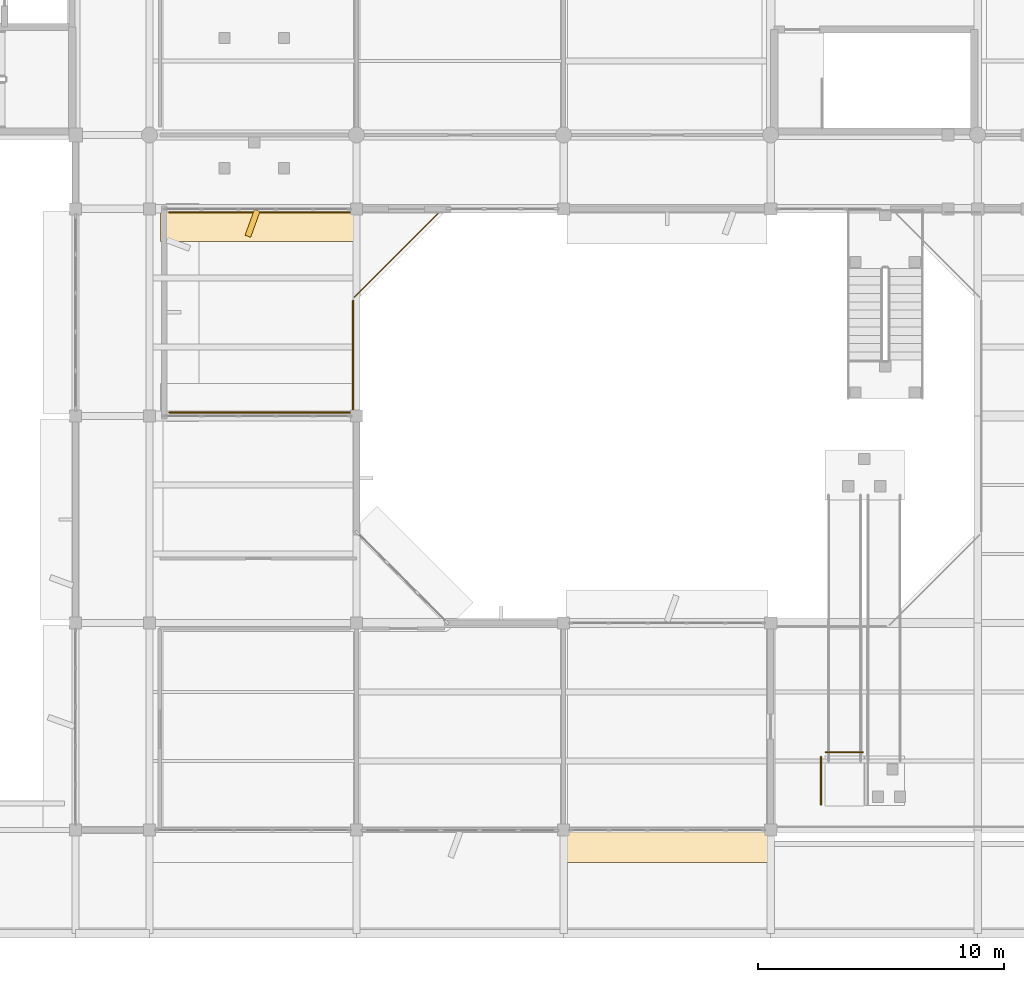
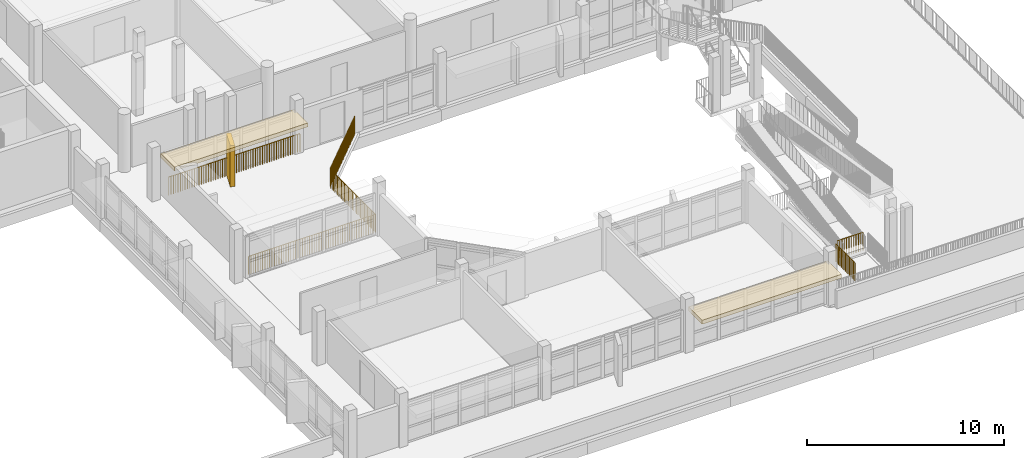
# One storey, part 70 of 92: 6 railings, 3 coverings.
"""IFC4 building model written with IfcOpenShell, lengths in metres."""

from ifc_helpers import new_model, si_unit, direction, frame, origin, origin_2d, place, context, subcontext, project, spatial, rectangle, circle, extrude, material, layer, layer_set, type_object, element, save


model = new_model("IFC4")

# Units and contexts
model_context = context("Model", 3, precision=1e-05, world=origin(), true_north=direction((0.0, 1.0)))
body_context = subcontext(model_context, "Body", "Model", "MODEL_VIEW")
ifc_project = project(units=[si_unit("LENGTHUNIT", "METRE"), si_unit("AREAUNIT", "SQUARE_METRE"), si_unit("VOLUMEUNIT", "CUBIC_METRE"), si_unit("PLANEANGLEUNIT", "RADIAN"), si_unit("MASSUNIT", "GRAM", prefix="KILO")], contexts=[model_context])

# Site, building, storey
site_placement = place(None, origin())
site = spatial("IfcSite", under=ifc_project, at=site_placement, CompositionType="ELEMENT")
building_placement = place(site_placement, origin())
building = spatial("IfcBuilding", under=site, at=building_placement, Name="Vanh Quang Courtyard School", CompositionType="ELEMENT")
storey_placement = place(building_placement, frame((0.0, 0.0, 7.800048828125)))
storey = spatial("IfcBuildingStorey", under=building, at=storey_placement, Name="L02", CompositionType="ELEMENT", Elevation=7.800048828125)

# Coverings
ifc_material_1 = material(Name="Board-marked precast concrete C40/50", Category="concrete")
ifc_layer = layer(ifc_material_1, 0.239990234375)
ifc_layer_set = layer_set([ifc_layer], Name="Board-marked precast concrete C40/50")
covering_type = type_object("IfcCoveringType", Name="COV-HOOD-CONC", PredefinedType="CLADDING", material=ifc_layer_set)
covering_1_placement = place(storey_placement, frame((81.77099609375, 28.780029296875, 2.33984375), z_axis=(0.0, 0.0, 1.0), x_axis=(-1.0, 0.0, 0.0)))
element("IfcCovering", 1, at=covering_1_placement, inside=storey, type_object=covering_type, Name="Covering CH-01 (L02)", PredefinedType="CLADDING", context=body_context, shape_type="SweptSolid", body=[
    extrude(rectangle(XDim=7.842041015625, YDim=1.39990234375, at=origin_2d()), origin(), (0.0, 0.0, 1.0), 0.239990234375),
])
covering_2_placement = place(storey_placement, frame((81.5810546875, 28.81494140625, 0.0), z_axis=(0.0, 0.0, 1.0), x_axis=(-0.340379550213, -0.94028812701, 0.0)))
element("IfcCovering", 2, at=covering_2_placement, inside=storey, type_object=covering_type, Name="Covering CH-01 (L02)", PredefinedType="CLADDING", context=body_context, shape_type="SweptSolid", body=[
    extrude(rectangle(XDim=1.11669921875, YDim=0.239990234375, at=origin_2d()), origin(), (0.0, 0.0, 1.0), 2.56005859375),
])
covering_3_placement = place(storey_placement, frame((98.39990234375, 3.580078125, 2.33984375), z_axis=(0.0, 0.0, 1.0), x_axis=(-1.0, 0.0, 0.0)))
element("IfcCovering", 3, at=covering_3_placement, inside=storey, type_object=covering_type, Name="Covering CH-01 (L02)", PredefinedType="CLADDING", context=body_context, shape_type="SweptSolid", body=[
    extrude(rectangle(XDim=8.18408203125, YDim=1.39990234375, at=origin_2d()), origin(), (0.0, 0.0, 1.0), 0.239990234375),
])

# Railings
ifc_material_2 = material(Name="Galvanised painted steel EN 10025-2 S355J2", Category="steel")
railing_type = type_object("IfcRailingType", Name="RAIL-GUARD-1150", PredefinedType="BALUSTRADE", material=ifc_material_2)
railing_1_placement = place(storey_placement, frame((106.344970703125, 7.35498046875, 0.0)))
element("IfcRailing", 4, at=railing_1_placement, inside=storey, type_object=railing_type, Name="Railing GR-01 (L02)", PredefinedType="BALUSTRADE", context=body_context, shape_type="SweptSolid", body=[
    extrude(circle(Radius=0.02392578125, at=origin_2d()), frame((0.0, 0.0, 1.1259765625), z_axis=(-1.0, 0.0, 0.0), x_axis=(0.0, -1.0, 0.0)), (0.0, 0.0, 1.0), 1.510009765625),
    extrude(circle(Radius=0.02099609375, at=origin_2d()), origin(), (0.0, 0.0, 1.0), 1.101806640625),
    extrude(circle(Radius=0.02099609375, at=origin_2d()), frame((-0.13720703125, 0.0, 0.0)), (0.0, 0.0, 1.0), 1.101806640625),
    extrude(circle(Radius=0.02099609375, at=origin_2d()), frame((-0.274658203125, 0.0, 0.0)), (0.0, 0.0, 1.0), 1.101806640625),
    extrude(circle(Radius=0.02099609375, at=origin_2d()), frame((-0.411865234375, 0.0, 0.0)), (0.0, 0.0, 1.0), 1.101806640625),
    extrude(circle(Radius=0.02099609375, at=origin_2d()), frame((-0.549072265625, 0.0, 0.0)), (0.0, 0.0, 1.0), 1.101806640625),
    extrude(circle(Radius=0.02099609375, at=origin_2d()), frame((-0.686279296875, 0.0, 0.0)), (0.0, 0.0, 1.0), 1.101806640625),
    extrude(circle(Radius=0.02099609375, at=origin_2d()), frame((-0.82373046875, 0.0, 0.0)), (0.0, 0.0, 1.0), 1.101806640625),
    extrude(circle(Radius=0.02099609375, at=origin_2d()), frame((-0.9609375, 0.0, 0.0)), (0.0, 0.0, 1.0), 1.101806640625),
    extrude(circle(Radius=0.02099609375, at=origin_2d()), frame((-1.09814453125, 0.0, 0.0)), (0.0, 0.0, 1.0), 1.101806640625),
    extrude(circle(Radius=0.02099609375, at=origin_2d()), frame((-1.2353515625, 0.0, 0.0)), (0.0, 0.0, 1.0), 1.101806640625),
    extrude(circle(Radius=0.02099609375, at=origin_2d()), frame((-1.372802734375, 0.0, 0.0)), (0.0, 0.0, 1.0), 1.101806640625),
    extrude(circle(Radius=0.02099609375, at=origin_2d()), frame((-1.510009765625, 0.0, 0.0)), (0.0, 0.0, 1.0), 1.101806640625),
])
railing_2_placement = place(storey_placement, frame((104.64501953125, 7.1650390625, 0.0)))
element("IfcRailing", 5, at=railing_2_placement, inside=storey, type_object=railing_type, Name="Railing GR-01 (L02)", PredefinedType="BALUSTRADE", context=body_context, shape_type="SweptSolid", body=[
    extrude(circle(Radius=0.02392578125, at=origin_2d()), frame((0.0, 0.0, 1.1259765625), z_axis=(0.0, -1.0, 0.0), x_axis=(1.0, 0.0, 0.0)), (0.0, 0.0, 1.0), 1.929931640625),
    extrude(circle(Radius=0.02099609375, at=origin_2d()), origin(), (0.0, 0.0, 1.0), 1.101806640625),
    extrude(circle(Radius=0.02099609375, at=origin_2d()), frame((0.0, -0.137939453125, 0.0)), (0.0, 0.0, 1.0), 1.101806640625),
    extrude(circle(Radius=0.02099609375, at=origin_2d()), frame((0.0, -0.275634765625, 0.0)), (0.0, 0.0, 1.0), 1.101806640625),
    extrude(circle(Radius=0.02099609375, at=origin_2d()), frame((0.0, -0.41357421875, 0.0)), (0.0, 0.0, 1.0), 1.101806640625),
    extrude(circle(Radius=0.02099609375, at=origin_2d()), frame((0.0, -0.551513671875, 0.0)), (0.0, 0.0, 1.0), 1.101806640625),
    extrude(circle(Radius=0.02099609375, at=origin_2d()), frame((0.0, -0.689208984375, 0.0)), (0.0, 0.0, 1.0), 1.101806640625),
    extrude(circle(Radius=0.02099609375, at=origin_2d()), frame((0.0, -0.8271484375, 0.0)), (0.0, 0.0, 1.0), 1.101806640625),
    extrude(circle(Radius=0.02099609375, at=origin_2d()), frame((0.0, -0.96484375, 0.0)), (0.0, 0.0, 1.0), 1.101806640625),
    extrude(circle(Radius=0.02099609375, at=origin_2d()), frame((0.0, -1.102783203125, 0.0)), (0.0, 0.0, 1.0), 1.101806640625),
    extrude(circle(Radius=0.02099609375, at=origin_2d()), frame((0.0, -1.24072265625, 0.0)), (0.0, 0.0, 1.0), 1.101806640625),
    extrude(circle(Radius=0.02099609375, at=origin_2d()), frame((0.0, -1.37841796875, 0.0)), (0.0, 0.0, 1.0), 1.101806640625),
    extrude(circle(Radius=0.02099609375, at=origin_2d()), frame((0.0, -1.516357421875, 0.0)), (0.0, 0.0, 1.0), 1.101806640625),
    extrude(circle(Radius=0.02099609375, at=origin_2d()), frame((0.0, -1.654296875, 0.0)), (0.0, 0.0, 1.0), 1.101806640625),
    extrude(circle(Radius=0.02099609375, at=origin_2d()), frame((0.0, -1.7919921875, 0.0)), (0.0, 0.0, 1.0), 1.101806640625),
    extrude(circle(Radius=0.02099609375, at=origin_2d()), frame((0.0, -1.929931640625, 0.0)), (0.0, 0.0, 1.0), 1.101806640625),
])
railing_3_placement = place(storey_placement, frame((78.199951171875, 29.260009765625, 0.0)))
element("IfcRailing", 6, at=railing_3_placement, inside=storey, type_object=railing_type, Name="Railing GR-01 (L02)", PredefinedType="BALUSTRADE", context=body_context, shape_type="SweptSolid", body=[
    extrude(circle(Radius=0.02392578125, at=origin_2d()), frame((0.0, 0.0, 1.1259765625), z_axis=(1.0, 0.0, 0.0), x_axis=(0.0, 1.0, 0.0)), (0.0, 0.0, 1.0), 7.705322265625),
    extrude(circle(Radius=0.02099609375, at=origin_2d()), origin(), (0.0, 0.0, 1.0), 1.101806640625),
    extrude(circle(Radius=0.02099609375, at=origin_2d()), frame((0.1376953125, 0.0, 0.0)), (0.0, 0.0, 1.0), 1.101806640625),
    extrude(circle(Radius=0.02099609375, at=origin_2d()), frame((0.275146484375, 0.0, 0.0)), (0.0, 0.0, 1.0), 1.101806640625),
    extrude(circle(Radius=0.02099609375, at=origin_2d()), frame((0.412841796875, 0.0, 0.0)), (0.0, 0.0, 1.0), 1.101806640625),
    extrude(circle(Radius=0.02099609375, at=origin_2d()), frame((0.55029296875, 0.0, 0.0)), (0.0, 0.0, 1.0), 1.101806640625),
    extrude(circle(Radius=0.02099609375, at=origin_2d()), frame((0.68798828125, 0.0, 0.0)), (0.0, 0.0, 1.0), 1.101806640625),
    extrude(circle(Radius=0.02099609375, at=origin_2d()), frame((0.82568359375, 0.0, 0.0)), (0.0, 0.0, 1.0), 1.101806640625),
    extrude(circle(Radius=0.02099609375, at=origin_2d()), frame((0.963134765625, 0.0, 0.0)), (0.0, 0.0, 1.0), 1.101806640625),
    extrude(circle(Radius=0.02099609375, at=origin_2d()), frame((1.100830078125, 0.0, 0.0)), (0.0, 0.0, 1.0), 1.101806640625),
    extrude(circle(Radius=0.02099609375, at=origin_2d()), frame((1.23828125, 0.0, 0.0)), (0.0, 0.0, 1.0), 1.101806640625),
    extrude(circle(Radius=0.02099609375, at=origin_2d()), frame((1.3759765625, 0.0, 0.0)), (0.0, 0.0, 1.0), 1.101806640625),
    extrude(circle(Radius=0.02099609375, at=origin_2d()), frame((1.513427734375, 0.0, 0.0)), (0.0, 0.0, 1.0), 1.101806640625),
    extrude(circle(Radius=0.02099609375, at=origin_2d()), frame((1.651123046875, 0.0, 0.0)), (0.0, 0.0, 1.0), 1.101806640625),
    extrude(circle(Radius=0.02099609375, at=origin_2d()), frame((1.788818359375, 0.0, 0.0)), (0.0, 0.0, 1.0), 1.101806640625),
    extrude(circle(Radius=0.02099609375, at=origin_2d()), frame((1.92626953125, 0.0, 0.0)), (0.0, 0.0, 1.0), 1.101806640625),
    extrude(circle(Radius=0.02099609375, at=origin_2d()), frame((2.06396484375, 0.0, 0.0)), (0.0, 0.0, 1.0), 1.101806640625),
    extrude(circle(Radius=0.02099609375, at=origin_2d()), frame((2.201416015625, 0.0, 0.0)), (0.0, 0.0, 1.0), 1.101806640625),
    extrude(circle(Radius=0.02099609375, at=origin_2d()), frame((2.339111328125, 0.0, 0.0)), (0.0, 0.0, 1.0), 1.101806640625),
    extrude(circle(Radius=0.02099609375, at=origin_2d()), frame((2.476806640625, 0.0, 0.0)), (0.0, 0.0, 1.0), 1.101806640625),
    extrude(circle(Radius=0.02099609375, at=origin_2d()), frame((2.6142578125, 0.0, 0.0)), (0.0, 0.0, 1.0), 1.101806640625),
    extrude(circle(Radius=0.02099609375, at=origin_2d()), frame((2.751953125, 0.0, 0.0)), (0.0, 0.0, 1.0), 1.101806640625),
    extrude(circle(Radius=0.02099609375, at=origin_2d()), frame((2.889404296875, 0.0, 0.0)), (0.0, 0.0, 1.0), 1.101806640625),
    extrude(circle(Radius=0.02099609375, at=origin_2d()), frame((3.027099609375, 0.0, 0.0)), (0.0, 0.0, 1.0), 1.101806640625),
    extrude(circle(Radius=0.02099609375, at=origin_2d()), frame((3.164794921875, 0.0, 0.0)), (0.0, 0.0, 1.0), 1.101806640625),
    extrude(circle(Radius=0.02099609375, at=origin_2d()), frame((3.30224609375, 0.0, 0.0)), (0.0, 0.0, 1.0), 1.101806640625),
    extrude(circle(Radius=0.02099609375, at=origin_2d()), frame((3.43994140625, 0.0, 0.0)), (0.0, 0.0, 1.0), 1.101806640625),
    extrude(circle(Radius=0.02099609375, at=origin_2d()), frame((3.577392578125, 0.0, 0.0)), (0.0, 0.0, 1.0), 1.101806640625),
    extrude(circle(Radius=0.02099609375, at=origin_2d()), frame((3.715087890625, 0.0, 0.0)), (0.0, 0.0, 1.0), 1.101806640625),
    extrude(circle(Radius=0.02099609375, at=origin_2d()), frame((3.8525390625, 0.0, 0.0)), (0.0, 0.0, 1.0), 1.101806640625),
    extrude(circle(Radius=0.02099609375, at=origin_2d()), frame((3.990234375, 0.0, 0.0)), (0.0, 0.0, 1.0), 1.101806640625),
    extrude(circle(Radius=0.02099609375, at=origin_2d()), frame((4.1279296875, 0.0, 0.0)), (0.0, 0.0, 1.0), 1.101806640625),
    extrude(circle(Radius=0.02099609375, at=origin_2d()), frame((4.265380859375, 0.0, 0.0)), (0.0, 0.0, 1.0), 1.101806640625),
    extrude(circle(Radius=0.02099609375, at=origin_2d()), frame((4.403076171875, 0.0, 0.0)), (0.0, 0.0, 1.0), 1.101806640625),
    extrude(circle(Radius=0.02099609375, at=origin_2d()), frame((4.54052734375, 0.0, 0.0)), (0.0, 0.0, 1.0), 1.101806640625),
    extrude(circle(Radius=0.02099609375, at=origin_2d()), frame((4.67822265625, 0.0, 0.0)), (0.0, 0.0, 1.0), 1.101806640625),
    extrude(circle(Radius=0.02099609375, at=origin_2d()), frame((4.81591796875, 0.0, 0.0)), (0.0, 0.0, 1.0), 1.101806640625),
    extrude(circle(Radius=0.02099609375, at=origin_2d()), frame((4.953369140625, 0.0, 0.0)), (0.0, 0.0, 1.0), 1.101806640625),
    extrude(circle(Radius=0.02099609375, at=origin_2d()), frame((5.091064453125, 0.0, 0.0)), (0.0, 0.0, 1.0), 1.101806640625),
    extrude(circle(Radius=0.02099609375, at=origin_2d()), frame((5.228515625, 0.0, 0.0)), (0.0, 0.0, 1.0), 1.101806640625),
    extrude(circle(Radius=0.02099609375, at=origin_2d()), frame((5.3662109375, 0.0, 0.0)), (0.0, 0.0, 1.0), 1.101806640625),
    extrude(circle(Radius=0.02099609375, at=origin_2d()), frame((5.50390625, 0.0, 0.0)), (0.0, 0.0, 1.0), 1.101806640625),
    extrude(circle(Radius=0.02099609375, at=origin_2d()), frame((5.641357421875, 0.0, 0.0)), (0.0, 0.0, 1.0), 1.101806640625),
    extrude(circle(Radius=0.02099609375, at=origin_2d()), frame((5.779052734375, 0.0, 0.0)), (0.0, 0.0, 1.0), 1.101806640625),
    extrude(circle(Radius=0.02099609375, at=origin_2d()), frame((5.91650390625, 0.0, 0.0)), (0.0, 0.0, 1.0), 1.101806640625),
    extrude(circle(Radius=0.02099609375, at=origin_2d()), frame((6.05419921875, 0.0, 0.0)), (0.0, 0.0, 1.0), 1.101806640625),
    extrude(circle(Radius=0.02099609375, at=origin_2d()), frame((6.19189453125, 0.0, 0.0)), (0.0, 0.0, 1.0), 1.101806640625),
    extrude(circle(Radius=0.02099609375, at=origin_2d()), frame((6.329345703125, 0.0, 0.0)), (0.0, 0.0, 1.0), 1.101806640625),
    extrude(circle(Radius=0.02099609375, at=origin_2d()), frame((6.467041015625, 0.0, 0.0)), (0.0, 0.0, 1.0), 1.101806640625),
    extrude(circle(Radius=0.02099609375, at=origin_2d()), frame((6.6044921875, 0.0, 0.0)), (0.0, 0.0, 1.0), 1.101806640625),
    extrude(circle(Radius=0.02099609375, at=origin_2d()), frame((6.7421875, 0.0, 0.0)), (0.0, 0.0, 1.0), 1.101806640625),
    extrude(circle(Radius=0.02099609375, at=origin_2d()), frame((6.879638671875, 0.0, 0.0)), (0.0, 0.0, 1.0), 1.101806640625),
    extrude(circle(Radius=0.02099609375, at=origin_2d()), frame((7.017333984375, 0.0, 0.0)), (0.0, 0.0, 1.0), 1.101806640625),
    extrude(circle(Radius=0.02099609375, at=origin_2d()), frame((7.155029296875, 0.0, 0.0)), (0.0, 0.0, 1.0), 1.101806640625),
    extrude(circle(Radius=0.02099609375, at=origin_2d()), frame((7.29248046875, 0.0, 0.0)), (0.0, 0.0, 1.0), 1.101806640625),
    extrude(circle(Radius=0.02099609375, at=origin_2d()), frame((7.43017578125, 0.0, 0.0)), (0.0, 0.0, 1.0), 1.101806640625),
    extrude(circle(Radius=0.02099609375, at=origin_2d()), frame((7.567626953125, 0.0, 0.0)), (0.0, 0.0, 1.0), 1.101806640625),
    extrude(circle(Radius=0.02099609375, at=origin_2d()), frame((7.705322265625, 0.0, 0.0)), (0.0, 0.0, 1.0), 1.101806640625),
])
railing_4_placement = place(storey_placement, frame((89.096923828125, 29.199951171875, 0.0)))
element("IfcRailing", 7, at=railing_4_placement, inside=storey, type_object=railing_type, Name="Railing GR-01 (L02)", PredefinedType="BALUSTRADE", context=body_context, shape_type="SweptSolid", body=[
    extrude(circle(Radius=0.02392578125, at=origin_2d()), frame((0.0, 0.0, 1.1259765625), z_axis=(-0.707004679278, -0.707208868355, 0.0), x_axis=(0.707208868355, -0.707004679278, 0.0)), (0.0, 0.0, 1.0), 4.78271484375),
    extrude(circle(Radius=0.02099609375, at=origin_2d()), origin(), (0.0, 0.0, 1.0), 1.101806640625),
    extrude(circle(Radius=0.02099609375, at=origin_2d()), frame((-0.0966796875, -0.0966796875, 0.0)), (0.0, 0.0, 1.0), 1.101806640625),
    extrude(circle(Radius=0.02099609375, at=origin_2d()), frame((-0.193115234375, -0.193359375, 0.0)), (0.0, 0.0, 1.0), 1.101806640625),
    extrude(circle(Radius=0.02099609375, at=origin_2d()), frame((-0.289794921875, -0.289794921875, 0.0)), (0.0, 0.0, 1.0), 1.101806640625),
    extrude(circle(Radius=0.02099609375, at=origin_2d()), frame((-0.386474609375, -0.386474609375, 0.0)), (0.0, 0.0, 1.0), 1.101806640625),
    extrude(circle(Radius=0.02099609375, at=origin_2d()), frame((-0.483154296875, -0.483154296875, 0.0)), (0.0, 0.0, 1.0), 1.101806640625),
    extrude(circle(Radius=0.02099609375, at=origin_2d()), frame((-0.57958984375, -0.579833984375, 0.0)), (0.0, 0.0, 1.0), 1.101806640625),
    extrude(circle(Radius=0.02099609375, at=origin_2d()), frame((-0.67626953125, -0.676513671875, 0.0)), (0.0, 0.0, 1.0), 1.101806640625),
    extrude(circle(Radius=0.02099609375, at=origin_2d()), frame((-0.77294921875, -0.773193359375, 0.0)), (0.0, 0.0, 1.0), 1.101806640625),
    extrude(circle(Radius=0.02099609375, at=origin_2d()), frame((-0.869384765625, -0.86962890625, 0.0)), (0.0, 0.0, 1.0), 1.101806640625),
    extrude(circle(Radius=0.02099609375, at=origin_2d()), frame((-0.966064453125, -0.96630859375, 0.0)), (0.0, 0.0, 1.0), 1.101806640625),
    extrude(circle(Radius=0.02099609375, at=origin_2d()), frame((-1.062744140625, -1.06298828125, 0.0)), (0.0, 0.0, 1.0), 1.101806640625),
    extrude(circle(Radius=0.02099609375, at=origin_2d()), frame((-1.159423828125, -1.15966796875, 0.0)), (0.0, 0.0, 1.0), 1.101806640625),
    extrude(circle(Radius=0.02099609375, at=origin_2d()), frame((-1.255859375, -1.25634765625, 0.0)), (0.0, 0.0, 1.0), 1.101806640625),
    extrude(circle(Radius=0.02099609375, at=origin_2d()), frame((-1.3525390625, -1.35302734375, 0.0)), (0.0, 0.0, 1.0), 1.101806640625),
    extrude(circle(Radius=0.02099609375, at=origin_2d()), frame((-1.44921875, -1.449462890625, 0.0)), (0.0, 0.0, 1.0), 1.101806640625),
    extrude(circle(Radius=0.02099609375, at=origin_2d()), frame((-1.545654296875, -1.546142578125, 0.0)), (0.0, 0.0, 1.0), 1.101806640625),
    extrude(circle(Radius=0.02099609375, at=origin_2d()), frame((-1.642333984375, -1.642822265625, 0.0)), (0.0, 0.0, 1.0), 1.101806640625),
    extrude(circle(Radius=0.02099609375, at=origin_2d()), frame((-1.739013671875, -1.739501953125, 0.0)), (0.0, 0.0, 1.0), 1.101806640625),
    extrude(circle(Radius=0.02099609375, at=origin_2d()), frame((-1.835693359375, -1.836181640625, 0.0)), (0.0, 0.0, 1.0), 1.101806640625),
    extrude(circle(Radius=0.02099609375, at=origin_2d()), frame((-1.93212890625, -1.932861328125, 0.0)), (0.0, 0.0, 1.0), 1.101806640625),
    extrude(circle(Radius=0.02099609375, at=origin_2d()), frame((-2.02880859375, -2.029296875, 0.0)), (0.0, 0.0, 1.0), 1.101806640625),
    extrude(circle(Radius=0.02099609375, at=origin_2d()), frame((-2.12548828125, -2.1259765625, 0.0)), (0.0, 0.0, 1.0), 1.101806640625),
    extrude(circle(Radius=0.02099609375, at=origin_2d()), frame((-2.221923828125, -2.22265625, 0.0)), (0.0, 0.0, 1.0), 1.101806640625),
    extrude(circle(Radius=0.02099609375, at=origin_2d()), frame((-2.318603515625, -2.3193359375, 0.0)), (0.0, 0.0, 1.0), 1.101806640625),
    extrude(circle(Radius=0.02099609375, at=origin_2d()), frame((-2.415283203125, -2.416015625, 0.0)), (0.0, 0.0, 1.0), 1.101806640625),
    extrude(circle(Radius=0.02099609375, at=origin_2d()), frame((-2.511962890625, -2.5126953125, 0.0)), (0.0, 0.0, 1.0), 1.101806640625),
    extrude(circle(Radius=0.02099609375, at=origin_2d()), frame((-2.6083984375, -2.609130859375, 0.0)), (0.0, 0.0, 1.0), 1.101806640625),
    extrude(circle(Radius=0.02099609375, at=origin_2d()), frame((-2.705078125, -2.705810546875, 0.0)), (0.0, 0.0, 1.0), 1.101806640625),
    extrude(circle(Radius=0.02099609375, at=origin_2d()), frame((-2.8017578125, -2.802490234375, 0.0)), (0.0, 0.0, 1.0), 1.101806640625),
    extrude(circle(Radius=0.02099609375, at=origin_2d()), frame((-2.898193359375, -2.899169921875, 0.0)), (0.0, 0.0, 1.0), 1.101806640625),
    extrude(circle(Radius=0.02099609375, at=origin_2d()), frame((-2.994873046875, -2.995849609375, 0.0)), (0.0, 0.0, 1.0), 1.101806640625),
    extrude(circle(Radius=0.02099609375, at=origin_2d()), frame((-3.091552734375, -3.092529296875, 0.0)), (0.0, 0.0, 1.0), 1.101806640625),
    extrude(circle(Radius=0.02099609375, at=origin_2d()), frame((-3.188232421875, -3.18896484375, 0.0)), (0.0, 0.0, 1.0), 1.101806640625),
    extrude(circle(Radius=0.02099609375, at=origin_2d()), frame((-3.28466796875, -3.28564453125, 0.0)), (0.0, 0.0, 1.0), 1.101806640625),
    extrude(circle(Radius=0.02099609375, at=origin_2d()), frame((-3.38134765625, -3.38232421875, 0.0)), (0.0, 0.0, 1.0), 1.101806640625),
])
railing_5_placement = place(storey_placement, frame((85.659912109375, 25.683349609375, 0.0)))
element("IfcRailing", 8, at=railing_5_placement, inside=storey, type_object=railing_type, Name="Railing GR-01 (L02)", PredefinedType="BALUSTRADE", context=body_context, shape_type="SweptSolid", body=[
    extrude(circle(Radius=0.02392578125, at=origin_2d()), frame((0.0, 0.0, 1.1259765625), z_axis=(0.0, -1.0, 0.0), x_axis=(1.0, 0.0, 0.0)), (0.0, 0.0, 1.0), 4.54345703125),
    extrude(circle(Radius=0.02099609375, at=origin_2d()), origin(), (0.0, 0.0, 1.0), 1.101806640625),
    extrude(circle(Radius=0.02099609375, at=origin_2d()), frame((0.0, -0.1376953125, 0.0)), (0.0, 0.0, 1.0), 1.101806640625),
    extrude(circle(Radius=0.02099609375, at=origin_2d()), frame((0.0, -0.275390625, 0.0)), (0.0, 0.0, 1.0), 1.101806640625),
    extrude(circle(Radius=0.02099609375, at=origin_2d()), frame((0.0, -0.4130859375, 0.0)), (0.0, 0.0, 1.0), 1.101806640625),
    extrude(circle(Radius=0.02099609375, at=origin_2d()), frame((0.0, -0.55078125, 0.0)), (0.0, 0.0, 1.0), 1.101806640625),
    extrude(circle(Radius=0.02099609375, at=origin_2d()), frame((0.0, -0.6884765625, 0.0)), (0.0, 0.0, 1.0), 1.101806640625),
    extrude(circle(Radius=0.02099609375, at=origin_2d()), frame((0.0, -0.826171875, 0.0)), (0.0, 0.0, 1.0), 1.101806640625),
    extrude(circle(Radius=0.02099609375, at=origin_2d()), frame((0.0, -0.9638671875, 0.0)), (0.0, 0.0, 1.0), 1.101806640625),
    extrude(circle(Radius=0.02099609375, at=origin_2d()), frame((0.0, -1.1015625, 0.0)), (0.0, 0.0, 1.0), 1.101806640625),
    extrude(circle(Radius=0.02099609375, at=origin_2d()), frame((0.0, -1.239013671875, 0.0)), (0.0, 0.0, 1.0), 1.101806640625),
    extrude(circle(Radius=0.02099609375, at=origin_2d()), frame((0.0, -1.376708984375, 0.0)), (0.0, 0.0, 1.0), 1.101806640625),
    extrude(circle(Radius=0.02099609375, at=origin_2d()), frame((0.0, -1.514404296875, 0.0)), (0.0, 0.0, 1.0), 1.101806640625),
    extrude(circle(Radius=0.02099609375, at=origin_2d()), frame((0.0, -1.652099609375, 0.0)), (0.0, 0.0, 1.0), 1.101806640625),
    extrude(circle(Radius=0.02099609375, at=origin_2d()), frame((0.0, -1.789794921875, 0.0)), (0.0, 0.0, 1.0), 1.101806640625),
    extrude(circle(Radius=0.02099609375, at=origin_2d()), frame((0.0, -1.927490234375, 0.0)), (0.0, 0.0, 1.0), 1.101806640625),
    extrude(circle(Radius=0.02099609375, at=origin_2d()), frame((0.0, -2.065185546875, 0.0)), (0.0, 0.0, 1.0), 1.101806640625),
    extrude(circle(Radius=0.02099609375, at=origin_2d()), frame((0.0, -2.202880859375, 0.0)), (0.0, 0.0, 1.0), 1.101806640625),
    extrude(circle(Radius=0.02099609375, at=origin_2d()), frame((0.0, -2.340576171875, 0.0)), (0.0, 0.0, 1.0), 1.101806640625),
    extrude(circle(Radius=0.02099609375, at=origin_2d()), frame((0.0, -2.478271484375, 0.0)), (0.0, 0.0, 1.0), 1.101806640625),
    extrude(circle(Radius=0.02099609375, at=origin_2d()), frame((0.0, -2.615966796875, 0.0)), (0.0, 0.0, 1.0), 1.101806640625),
    extrude(circle(Radius=0.02099609375, at=origin_2d()), frame((0.0, -2.753662109375, 0.0)), (0.0, 0.0, 1.0), 1.101806640625),
    extrude(circle(Radius=0.02099609375, at=origin_2d()), frame((0.0, -2.891357421875, 0.0)), (0.0, 0.0, 1.0), 1.101806640625),
    extrude(circle(Radius=0.02099609375, at=origin_2d()), frame((0.0, -3.029052734375, 0.0)), (0.0, 0.0, 1.0), 1.101806640625),
    extrude(circle(Radius=0.02099609375, at=origin_2d()), frame((0.0, -3.166748046875, 0.0)), (0.0, 0.0, 1.0), 1.101806640625),
    extrude(circle(Radius=0.02099609375, at=origin_2d()), frame((0.0, -3.304443359375, 0.0)), (0.0, 0.0, 1.0), 1.101806640625),
    extrude(circle(Radius=0.02099609375, at=origin_2d()), frame((0.0, -3.44189453125, 0.0)), (0.0, 0.0, 1.0), 1.101806640625),
    extrude(circle(Radius=0.02099609375, at=origin_2d()), frame((0.0, -3.57958984375, 0.0)), (0.0, 0.0, 1.0), 1.101806640625),
    extrude(circle(Radius=0.02099609375, at=origin_2d()), frame((0.0, -3.71728515625, 0.0)), (0.0, 0.0, 1.0), 1.101806640625),
    extrude(circle(Radius=0.02099609375, at=origin_2d()), frame((0.0, -3.85498046875, 0.0)), (0.0, 0.0, 1.0), 1.101806640625),
    extrude(circle(Radius=0.02099609375, at=origin_2d()), frame((0.0, -3.99267578125, 0.0)), (0.0, 0.0, 1.0), 1.101806640625),
    extrude(circle(Radius=0.02099609375, at=origin_2d()), frame((0.0, -4.13037109375, 0.0)), (0.0, 0.0, 1.0), 1.101806640625),
    extrude(circle(Radius=0.02099609375, at=origin_2d()), frame((0.0, -4.26806640625, 0.0)), (0.0, 0.0, 1.0), 1.101806640625),
    extrude(circle(Radius=0.02099609375, at=origin_2d()), frame((0.0, -4.40576171875, 0.0)), (0.0, 0.0, 1.0), 1.101806640625),
    extrude(circle(Radius=0.02099609375, at=origin_2d()), frame((0.0, -4.54345703125, 0.0)), (0.0, 0.0, 1.0), 1.101806640625),
])
railing_6_placement = place(storey_placement, frame((85.659912109375, 21.139892578125, 0.0)))
element("IfcRailing", 9, at=railing_6_placement, inside=storey, type_object=railing_type, Name="Railing GR-01 (L02)", PredefinedType="BALUSTRADE", context=body_context, shape_type="SweptSolid", body=[
    extrude(circle(Radius=0.02392578125, at=origin_2d()), frame((0.0, 0.0, 1.1259765625), z_axis=(-1.0, 0.0, 0.0), x_axis=(0.0, -1.0, 0.0)), (0.0, 0.0, 1.0), 7.4599609375),
    extrude(circle(Radius=0.02099609375, at=origin_2d()), origin(), (0.0, 0.0, 1.0), 1.101806640625),
    extrude(circle(Radius=0.02099609375, at=origin_2d()), frame((-0.13818359375, 0.0, 0.0)), (0.0, 0.0, 1.0), 1.101806640625),
    extrude(circle(Radius=0.02099609375, at=origin_2d()), frame((-0.2763671875, 0.0, 0.0)), (0.0, 0.0, 1.0), 1.101806640625),
    extrude(circle(Radius=0.02099609375, at=origin_2d()), frame((-0.41455078125, 0.0, 0.0)), (0.0, 0.0, 1.0), 1.101806640625),
    extrude(circle(Radius=0.02099609375, at=origin_2d()), frame((-0.552490234375, 0.0, 0.0)), (0.0, 0.0, 1.0), 1.101806640625),
    extrude(circle(Radius=0.02099609375, at=origin_2d()), frame((-0.690673828125, 0.0, 0.0)), (0.0, 0.0, 1.0), 1.101806640625),
    extrude(circle(Radius=0.02099609375, at=origin_2d()), frame((-0.828857421875, 0.0, 0.0)), (0.0, 0.0, 1.0), 1.101806640625),
    extrude(circle(Radius=0.02099609375, at=origin_2d()), frame((-0.967041015625, 0.0, 0.0)), (0.0, 0.0, 1.0), 1.101806640625),
    extrude(circle(Radius=0.02099609375, at=origin_2d()), frame((-1.105224609375, 0.0, 0.0)), (0.0, 0.0, 1.0), 1.101806640625),
    extrude(circle(Radius=0.02099609375, at=origin_2d()), frame((-1.243408203125, 0.0, 0.0)), (0.0, 0.0, 1.0), 1.101806640625),
    extrude(circle(Radius=0.02099609375, at=origin_2d()), frame((-1.381591796875, 0.0, 0.0)), (0.0, 0.0, 1.0), 1.101806640625),
    extrude(circle(Radius=0.02099609375, at=origin_2d()), frame((-1.51953125, 0.0, 0.0)), (0.0, 0.0, 1.0), 1.101806640625),
    extrude(circle(Radius=0.02099609375, at=origin_2d()), frame((-1.65771484375, 0.0, 0.0)), (0.0, 0.0, 1.0), 1.101806640625),
    extrude(circle(Radius=0.02099609375, at=origin_2d()), frame((-1.7958984375, 0.0, 0.0)), (0.0, 0.0, 1.0), 1.101806640625),
    extrude(circle(Radius=0.02099609375, at=origin_2d()), frame((-1.93408203125, 0.0, 0.0)), (0.0, 0.0, 1.0), 1.101806640625),
    extrude(circle(Radius=0.02099609375, at=origin_2d()), frame((-2.072265625, 0.0, 0.0)), (0.0, 0.0, 1.0), 1.101806640625),
    extrude(circle(Radius=0.02099609375, at=origin_2d()), frame((-2.21044921875, 0.0, 0.0)), (0.0, 0.0, 1.0), 1.101806640625),
    extrude(circle(Radius=0.02099609375, at=origin_2d()), frame((-2.348388671875, 0.0, 0.0)), (0.0, 0.0, 1.0), 1.101806640625),
    extrude(circle(Radius=0.02099609375, at=origin_2d()), frame((-2.486572265625, 0.0, 0.0)), (0.0, 0.0, 1.0), 1.101806640625),
    extrude(circle(Radius=0.02099609375, at=origin_2d()), frame((-2.624755859375, 0.0, 0.0)), (0.0, 0.0, 1.0), 1.101806640625),
    extrude(circle(Radius=0.02099609375, at=origin_2d()), frame((-2.762939453125, 0.0, 0.0)), (0.0, 0.0, 1.0), 1.101806640625),
    extrude(circle(Radius=0.02099609375, at=origin_2d()), frame((-2.901123046875, 0.0, 0.0)), (0.0, 0.0, 1.0), 1.101806640625),
    extrude(circle(Radius=0.02099609375, at=origin_2d()), frame((-3.039306640625, 0.0, 0.0)), (0.0, 0.0, 1.0), 1.101806640625),
    extrude(circle(Radius=0.02099609375, at=origin_2d()), frame((-3.177490234375, 0.0, 0.0)), (0.0, 0.0, 1.0), 1.101806640625),
    extrude(circle(Radius=0.02099609375, at=origin_2d()), frame((-3.3154296875, 0.0, 0.0)), (0.0, 0.0, 1.0), 1.101806640625),
    extrude(circle(Radius=0.02099609375, at=origin_2d()), frame((-3.45361328125, 0.0, 0.0)), (0.0, 0.0, 1.0), 1.101806640625),
    extrude(circle(Radius=0.02099609375, at=origin_2d()), frame((-3.591796875, 0.0, 0.0)), (0.0, 0.0, 1.0), 1.101806640625),
    extrude(circle(Radius=0.02099609375, at=origin_2d()), frame((-3.72998046875, 0.0, 0.0)), (0.0, 0.0, 1.0), 1.101806640625),
    extrude(circle(Radius=0.02099609375, at=origin_2d()), frame((-3.8681640625, 0.0, 0.0)), (0.0, 0.0, 1.0), 1.101806640625),
    extrude(circle(Radius=0.02099609375, at=origin_2d()), frame((-4.00634765625, 0.0, 0.0)), (0.0, 0.0, 1.0), 1.101806640625),
    extrude(circle(Radius=0.02099609375, at=origin_2d()), frame((-4.14453125, 0.0, 0.0)), (0.0, 0.0, 1.0), 1.101806640625),
    extrude(circle(Radius=0.02099609375, at=origin_2d()), frame((-4.282470703125, 0.0, 0.0)), (0.0, 0.0, 1.0), 1.101806640625),
    extrude(circle(Radius=0.02099609375, at=origin_2d()), frame((-4.420654296875, 0.0, 0.0)), (0.0, 0.0, 1.0), 1.101806640625),
    extrude(circle(Radius=0.02099609375, at=origin_2d()), frame((-4.558837890625, 0.0, 0.0)), (0.0, 0.0, 1.0), 1.101806640625),
    extrude(circle(Radius=0.02099609375, at=origin_2d()), frame((-4.697021484375, 0.0, 0.0)), (0.0, 0.0, 1.0), 1.101806640625),
    extrude(circle(Radius=0.02099609375, at=origin_2d()), frame((-4.835205078125, 0.0, 0.0)), (0.0, 0.0, 1.0), 1.101806640625),
    extrude(circle(Radius=0.02099609375, at=origin_2d()), frame((-4.973388671875, 0.0, 0.0)), (0.0, 0.0, 1.0), 1.101806640625),
    extrude(circle(Radius=0.02099609375, at=origin_2d()), frame((-5.111572265625, 0.0, 0.0)), (0.0, 0.0, 1.0), 1.101806640625),
    extrude(circle(Radius=0.02099609375, at=origin_2d()), frame((-5.24951171875, 0.0, 0.0)), (0.0, 0.0, 1.0), 1.101806640625),
    extrude(circle(Radius=0.02099609375, at=origin_2d()), frame((-5.3876953125, 0.0, 0.0)), (0.0, 0.0, 1.0), 1.101806640625),
    extrude(circle(Radius=0.02099609375, at=origin_2d()), frame((-5.52587890625, 0.0, 0.0)), (0.0, 0.0, 1.0), 1.101806640625),
    extrude(circle(Radius=0.02099609375, at=origin_2d()), frame((-5.6640625, 0.0, 0.0)), (0.0, 0.0, 1.0), 1.101806640625),
    extrude(circle(Radius=0.02099609375, at=origin_2d()), frame((-5.80224609375, 0.0, 0.0)), (0.0, 0.0, 1.0), 1.101806640625),
    extrude(circle(Radius=0.02099609375, at=origin_2d()), frame((-5.9404296875, 0.0, 0.0)), (0.0, 0.0, 1.0), 1.101806640625),
    extrude(circle(Radius=0.02099609375, at=origin_2d()), frame((-6.078369140625, 0.0, 0.0)), (0.0, 0.0, 1.0), 1.101806640625),
    extrude(circle(Radius=0.02099609375, at=origin_2d()), frame((-6.216552734375, 0.0, 0.0)), (0.0, 0.0, 1.0), 1.101806640625),
    extrude(circle(Radius=0.02099609375, at=origin_2d()), frame((-6.354736328125, 0.0, 0.0)), (0.0, 0.0, 1.0), 1.101806640625),
    extrude(circle(Radius=0.02099609375, at=origin_2d()), frame((-6.492919921875, 0.0, 0.0)), (0.0, 0.0, 1.0), 1.101806640625),
    extrude(circle(Radius=0.02099609375, at=origin_2d()), frame((-6.631103515625, 0.0, 0.0)), (0.0, 0.0, 1.0), 1.101806640625),
    extrude(circle(Radius=0.02099609375, at=origin_2d()), frame((-6.769287109375, 0.0, 0.0)), (0.0, 0.0, 1.0), 1.101806640625),
    extrude(circle(Radius=0.02099609375, at=origin_2d()), frame((-6.907470703125, 0.0, 0.0)), (0.0, 0.0, 1.0), 1.101806640625),
    extrude(circle(Radius=0.02099609375, at=origin_2d()), frame((-7.04541015625, 0.0, 0.0)), (0.0, 0.0, 1.0), 1.101806640625),
    extrude(circle(Radius=0.02099609375, at=origin_2d()), frame((-7.18359375, 0.0, 0.0)), (0.0, 0.0, 1.0), 1.101806640625),
    extrude(circle(Radius=0.02099609375, at=origin_2d()), frame((-7.32177734375, 0.0, 0.0)), (0.0, 0.0, 1.0), 1.101806640625),
    extrude(circle(Radius=0.02099609375, at=origin_2d()), frame((-7.4599609375, 0.0, 0.0)), (0.0, 0.0, 1.0), 1.101806640625),
])

save(model, "model.ifc")
